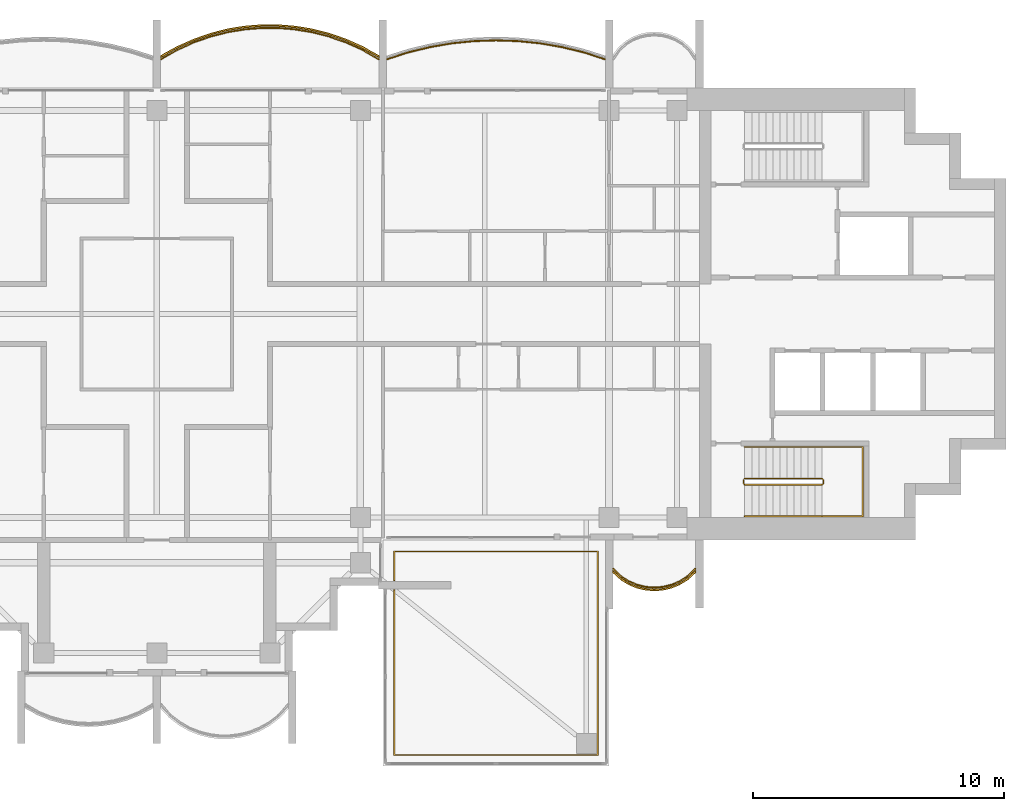
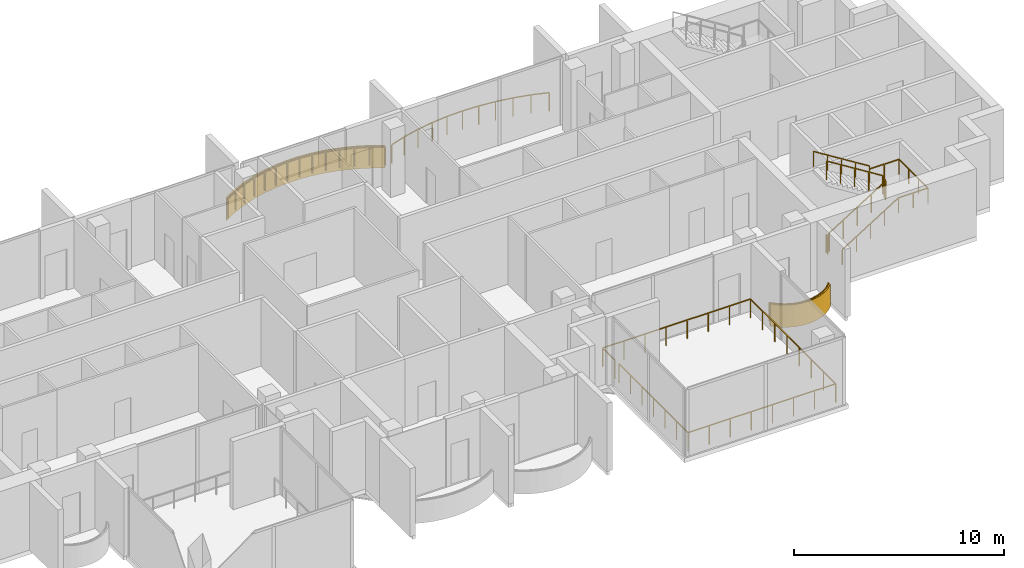
# One storey, part 15 of 16: 6 railings, 2 coverings.
"""IFC4 building model written with IfcOpenShell, lengths in metres."""

import ifcopenshell
import ifcopenshell.guid

model = None  # the IFC model being written
_history = None  # IfcOwnerHistory: only IFC2X3 demands one
_inside = {}  # id of a spatial element -> (the spatial element, [elements in it])
_under = {}  # id of a project, library or spatial element -> (it, [spatial elements below it])
_declared = {}  # id of a project -> (the project, [libraries it declares])
_typed = {}  # id of a type object -> (the type object, [elements of that type])
_made_of = {}  # id of a material, layer set ... -> (it, [elements and type objects made of it])


def new_model(schema):
    """Start an empty IFC model of exactly this schema.

    Asked for "IFC4X3", IfcOpenShell would pick the latest addendum, in which some entities
    have other attributes; the version numbers below select the first issue.
    IFC2X3 requires an IfcOwnerHistory on every rooted entity: one is made here for all.
    """
    global model, _history
    if schema == "IFC4X3":
        model = ifcopenshell.file(schema_version=(4, 3, 0, 0))
    else:
        model = ifcopenshell.file(schema=schema)
    _inside.clear()
    _under.clear()
    _declared.clear()
    _typed.clear()
    _made_of.clear()
    _history = None
    if model.schema == "IFC2X3":
        org = make("IfcOrganization", Name="unknown")
        user = make(
            "IfcPersonAndOrganization",
            ThePerson=make("IfcPerson", FamilyName="unknown"),
            TheOrganization=org,
        )
        app = make(
            "IfcApplication",
            ApplicationDeveloper=org,
            Version="unknown",
            ApplicationFullName="unknown",
            ApplicationIdentifier="unknown",
        )
        _history = make(
            "IfcOwnerHistory",
            OwningUser=user,
            OwningApplication=app,
            ChangeAction="ADDED",
            CreationDate=0,
        )
    return model


def make(cls, **values):
    """One entity of the class cls with the attributes given. An attribute that is None is left unset."""
    return model.create_entity(
        cls, **{name: value for name, value in values.items() if value is not None}
    )


def rooted(cls, **values):
    """An entity with a GlobalId (a new one), such as an element, a storey or a relation."""
    return make(cls, GlobalId=ifcopenshell.guid.new(), OwnerHistory=_history, **values)


def si_unit(unit_type, name, prefix=None):
    """IfcSIUnit, for example si_unit("LENGTHUNIT", "METRE", prefix="MILLI")."""
    return make("IfcSIUnit", UnitType=unit_type, Prefix=prefix, Name=name)


def assignment(units):
    """IfcUnitAssignment: the units of a project."""
    return None if units is None else make("IfcUnitAssignment", Units=units)


def point(xyz):
    """IfcCartesianPoint."""
    return None if xyz is None else make("IfcCartesianPoint", Coordinates=xyz)


def direction(xyz):
    """IfcDirection."""
    return None if xyz is None else make("IfcDirection", DirectionRatios=xyz)


def frame(location, z_axis=None, x_axis=None):
    """IfcAxis2Placement3D, a coordinate frame: its origin and axes. An axis left out is left unset."""
    return make(
        "IfcAxis2Placement3D",
        Location=point(location),
        Axis=direction(z_axis),
        RefDirection=direction(x_axis),
    )


def frame_2d(location, x_axis=None):
    """IfcAxis2Placement2D, a coordinate frame in the plane: its origin and x axis."""
    return make(
        "IfcAxis2Placement2D", Location=point(location), RefDirection=direction(x_axis)
    )


def origin():
    """The frame at (0, 0, 0) with its axes left unset."""
    return frame((0.0, 0.0, 0.0))


def origin_2d():
    """The frame at (0, 0) in the plane with its x axis left unset."""
    return frame_2d((0.0, 0.0))


def place(relative_to, where):
    """IfcLocalPlacement: puts the frame where relative to a parent placement (None: the world)."""
    return make(
        "IfcLocalPlacement", PlacementRelTo=relative_to, RelativePlacement=where
    )


def context(
    kind, dimensions, precision=None, world=None, true_north=None, identifier=None
):
    """IfcGeometricRepresentationContext, for example the 3D "Model" context."""
    return make(
        "IfcGeometricRepresentationContext",
        ContextIdentifier=identifier,
        ContextType=kind,
        CoordinateSpaceDimension=dimensions,
        Precision=precision,
        WorldCoordinateSystem=world,
        TrueNorth=true_north,
    )


def subcontext(parent, identifier, kind, view, scale=None):
    """IfcGeometricRepresentationSubContext, for example "Body" below "Model"."""
    return make(
        "IfcGeometricRepresentationSubContext",
        ContextIdentifier=identifier,
        ContextType=kind,
        ParentContext=parent,
        TargetScale=scale,
        TargetView=view,
    )


def project(units=None, contexts=None):
    """IfcProject with its units and contexts."""
    return rooted(
        "IfcProject",
        Name="project",
        RepresentationContexts=contexts,
        UnitsInContext=assignment(units),
    )


def spatial(cls, under=None, at=None, **own):
    """A site, building, storey or space (cls), placed at a placement, below another one or the project."""
    s = rooted(cls, ObjectPlacement=at, **own)
    if under is not None:
        _under.setdefault(under.id(), (under, []))[1].append(s)
    return s


def polyline(points):
    """IfcPolyline through the points."""
    return make("IfcPolyline", Points=[point(p) for p in points])


def profile(cls, at=None, kind="AREA", **sizes):
    """A parametric profile (cls). Its sizes go by their IFC names, for example OverallWidth=200.0."""
    return make(cls, ProfileType=kind, Position=at, **sizes)


def rectangle(**sizes):
    """IfcRectangleProfileDef."""
    return profile("IfcRectangleProfileDef", **sizes)


def outline(outer, holes=None, kind="AREA"):
    """IfcArbitraryClosedProfileDef: a profile drawn as a closed curve; with holes, ...WithVoids."""
    if holes is None:
        return make("IfcArbitraryClosedProfileDef", ProfileType=kind, OuterCurve=outer)
    return make(
        "IfcArbitraryProfileDefWithVoids",
        ProfileType=kind,
        OuterCurve=outer,
        InnerCurves=holes,
    )


def extrude(swept, where, along, depth):
    """IfcExtrudedAreaSolid: the profile swept, set in the frame where, extruded along a direction by depth."""
    return make(
        "IfcExtrudedAreaSolid",
        SweptArea=swept,
        Position=where,
        ExtrudedDirection=direction(along),
        Depth=depth,
    )


def shape(context_of_items, identifier, shape_type, items):
    """IfcShapeRepresentation: the items that make up one representation, for example the "Body"."""
    return make(
        "IfcShapeRepresentation",
        ContextOfItems=context_of_items,
        RepresentationIdentifier=identifier,
        RepresentationType=shape_type,
        Items=items,
    )


def material(Name=None, Category=None):
    """IfcMaterial."""
    return make("IfcMaterial", Name=Name, Category=Category)


def layer(
    of_material, thickness, ventilated=None, Name=None, Category=None, Priority=None
):
    """IfcMaterialLayer: one layer of a wall or slab, of a material (None: an air gap)."""
    return make(
        "IfcMaterialLayer",
        Material=of_material,
        LayerThickness=thickness,
        IsVentilated=ventilated,
        Name=Name,
        Category=Category,
        Priority=Priority,
    )


def layer_set(layers, Name=None):
    """IfcMaterialLayerSet."""
    return make("IfcMaterialLayerSet", MaterialLayers=layers, LayerSetName=Name)


def made_of(thing, what):
    """Note that an element or type object is made of a material, layer set ...; save() writes the relation."""
    if what is not None:
        _made_of.setdefault(what.id(), (what, []))[1].append(thing)
    return thing


def type_object(cls, material=None, **own):
    """A type object (cls), such as IfcWallType, which elements share."""
    return made_of(rooted(cls, **own), material)


def element(
    cls,
    number,
    at=None,
    inside=None,
    cuts=None,
    type_object=None,
    material=None,
    context=None,
    identifier="Body",
    shape_type=None,
    held_by="IfcProductDefinitionShape",
    body=None,
    shapes=None,
    **own,
):
    """One element of the class cls, such as IfcWall. Its Tag is "e" and its number.

    at: its placement. inside: the storey or other place that contains it. cuts: it is an
    opening in that element (IfcRelVoidsElement). A single representation is given by context,
    identifier, shape_type and body (its items); several are given by shapes. held_by: the class
    of the entity that holds the representations. save() writes the other relations.
    """
    e = rooted(cls, Tag="e%d" % number, ObjectPlacement=at, **own)
    if body is not None:
        shapes = [shape(context, identifier, shape_type, body)]
    if shapes is not None:
        e.Representation = make(held_by, Representations=shapes)
    if inside is not None:
        _inside.setdefault(inside.id(), (inside, []))[1].append(e)
    if cuts is not None:
        rooted(
            "IfcRelVoidsElement", RelatingBuildingElement=cuts, RelatedOpeningElement=e
        )
    if type_object is not None:
        _typed.setdefault(type_object.id(), (type_object, []))[1].append(e)
    return made_of(e, material)


def aggregate(whole, parts):
    """IfcRelAggregates: a whole, such as a stair, and the parts it consists of."""
    return rooted("IfcRelAggregates", RelatingObject=whole, RelatedObjects=parts)


def save(model, path):
    """Write the relations noted so far, then the file.

    IfcRelAggregates (storeys below a building ...), IfcRelContainedInSpatialStructure (elements
    in a storey), IfcRelDefinesByType, IfcRelAssociatesMaterial and IfcRelDeclares: one each for
    every whole, place, type object, material and project.
    """
    for whole, parts in _under.values():
        aggregate(whole, parts)
    for where, things in _inside.values():
        rooted(
            "IfcRelContainedInSpatialStructure",
            RelatedElements=things,
            RelatingStructure=where,
        )
    for kind, things in _typed.values():
        rooted("IfcRelDefinesByType", RelatedObjects=things, RelatingType=kind)
    for what, things in _made_of.values():
        rooted("IfcRelAssociatesMaterial", RelatedObjects=things, RelatingMaterial=what)
    for by, libraries in _declared.values():
        rooted("IfcRelDeclares", RelatingContext=by, RelatedDefinitions=libraries)
    model.write(path)


model = new_model("IFC4")

# Units and contexts
model_context = context("Model", 3, precision=1e-05, world=origin(), true_north=direction((0.0, 1.0)))
body_context = subcontext(model_context, "Body", "Model", "MODEL_VIEW")
ifc_project = project(units=[si_unit("LENGTHUNIT", "METRE"), si_unit("AREAUNIT", "SQUARE_METRE"), si_unit("VOLUMEUNIT", "CUBIC_METRE"), si_unit("PLANEANGLEUNIT", "RADIAN"), si_unit("MASSUNIT", "GRAM", prefix="KILO")], contexts=[model_context])

# Site, building, storey
site_placement = place(None, origin())
site = spatial("IfcSite", under=ifc_project, at=site_placement, CompositionType="ELEMENT")
building_placement = place(site_placement, origin())
building = spatial("IfcBuilding", under=site, at=building_placement, Name="Perihelion Cross Residences", CompositionType="ELEMENT")
storey_placement = place(building_placement, frame((0.0, 0.0, 294.60009765625)))
storey = spatial("IfcBuildingStorey", under=building, at=storey_placement, Name="L75", CompositionType="ELEMENT", Elevation=294.60009765625)

# Coverings
ifc_material_1 = material(Name="Bronze anodised aluminium", Category="aluminium")
ifc_layer = layer(ifc_material_1, 0.070068359375)
ifc_layer_set = layer_set([ifc_layer], Name="Balcony fascia 1300")
covering_type = type_object("IfcCoveringType", Name="Balcony fascia 1300", PredefinedType="CLADDING", material=ifc_layer_set)
covering_1_placement = place(storey_placement, frame((0.0, 0.0, -0.2001953125)))
element("IfcCovering", 1, at=covering_1_placement, inside=storey, type_object=covering_type, Name="Fascia BF1 L75 north side east bay 1", PredefinedType="CLADDING", context=body_context, shape_type="SweptSolid", body=[
    extrude(outline(polyline([(8.212158203125, 10.63916015625), (7.537353515625, 10.941650390625), (6.8623046875, 11.175048828125), (6.1875, 11.345947265625), (5.512451171875, 11.457763671875), (4.83740234375, 11.51318359375), (4.16259765625, 11.51318359375), (3.487548828125, 11.457763671875), (2.8125, 11.345947265625), (2.1376953125, 11.175048828125), (1.462646484375, 10.941650390625), (0.787841796875, 10.63916015625), (0.14990234375, 10.2802734375), (0.14990234375, 10.199951171875), (0.8193359375, 10.57666015625), (1.488525390625, 10.87646484375), (2.15771484375, 11.108154296875), (2.826904296875, 11.27734375), (3.49609375, 11.38818359375), (4.165283203125, 11.443115234375), (4.834716796875, 11.443115234375), (5.50390625, 11.38818359375), (6.173095703125, 11.27734375), (6.84228515625, 11.108154296875), (7.511474609375, 10.87646484375), (8.1806640625, 10.57666015625), (8.85009765625, 10.199951171875), (8.85009765625, 10.2802734375), (8.212158203125, 10.63916015625)])), origin(), (0.0, 0.0, 1.0), 1.300048828125),
])
covering_2_placement = place(storey_placement, frame((0.0, 0.0, -0.2001953125)))
element("IfcCovering", 2, at=covering_2_placement, inside=storey, type_object=covering_type, Name="Fascia BF1 L75 east side south bay 2", PredefinedType="CLADDING", context=body_context, shape_type="SweptSolid", body=[
    extrude(outline(polyline([(18.4375, -10.56298828125), (18.778076171875, -10.77587890625), (19.11865234375, -10.914794921875), (19.45947265625, -10.994140625), (19.800048828125, -11.02001953125), (20.140625, -10.994140625), (20.481201171875, -10.914794921875), (20.82177734375, -10.77587890625), (21.16259765625, -10.56298828125), (21.449951171875, -10.295654296875), (21.449951171875, -10.199951171875), (21.1201171875, -10.507568359375), (20.7900390625, -10.71337890625), (20.4599609375, -10.84814453125), (20.1298828125, -10.925048828125), (19.800048828125, -10.949951171875), (19.469970703125, -10.925048828125), (19.139892578125, -10.84814453125), (18.81005859375, -10.71337890625), (18.47998046875, -10.507568359375), (18.14990234375, -10.199951171875), (18.14990234375, -10.295654296875), (18.4375, -10.56298828125)])), origin(), (0.0, 0.0, 1.0), 1.300048828125),
])

# Railings
ifc_material_2 = material(Name="Bronze anodised aluminium", Category="aluminium")
railing_type_1 = type_object("IfcRailingType", Name="Balcony guard 1100", PredefinedType="GUARDRAIL", material=ifc_material_2)
railing_1_placement = place(storey_placement, frame((17.824951171875, 10.139892578125, 0.0)))
element("IfcRailing", 3, at=railing_1_placement, inside=storey, type_object=railing_type_1, Name="Guard GU1 L75 east side north bay 2 balcony", PredefinedType="GUARDRAIL", context=body_context, shape_type="SweptSolid", body=[
    extrude(rectangle(XDim=0.048095703125, YDim=0.048095703125, at=origin_2d()), frame((0.0, 0.0, 1.076171875), z_axis=(-0.950777354264, 0.30987484993, 0.0), x_axis=(-0.30987484993, -0.950777354264, 0.0)), (0.0, 0.0, 1.0), 0.888671875),
    extrude(rectangle(XDim=0.048095703125, YDim=0.048095703125, at=origin_2d()), frame((-0.844970703125, 0.275390625, 1.076171875), z_axis=(-0.972146551129, 0.234373810671, 0.0), x_axis=(-0.234373810671, -0.972146551129, 0.0)), (0.0, 0.0, 1.0), 0.894775390625),
    extrude(rectangle(XDim=0.048095703125, YDim=0.048095703125, at=origin_2d()), frame((-1.71484375, 0.485107421875, 1.076171875), z_axis=(-0.985850361727, 0.167627755108, 0.0), x_axis=(-0.167627755108, -0.985850361727, 0.0)), (0.0, 0.0, 1.0), 0.882568359375),
    extrude(rectangle(XDim=0.048095703125, YDim=0.048095703125, at=origin_2d()), frame((-2.5849609375, 0.633056640625, 1.076171875), z_axis=(-0.994934368303, 0.100526627165, 0.0), x_axis=(-0.100526627165, -0.994934368303, 0.0)), (0.0, 0.0, 1.0), 0.874267578125),
    extrude(rectangle(XDim=0.048095703125, YDim=0.048095703125, at=origin_2d()), frame((-3.454833984375, 0.720947265625, 1.076171875), z_axis=(-0.999443037968, 0.0333708534, 0.0), x_axis=(-0.0333708534, -0.999443037968, 0.0)), (0.0, 0.0, 1.0), 0.87060546875),
    extrude(rectangle(XDim=0.048095703125, YDim=0.048095703125, at=origin_2d()), frame((-4.324951171875, 0.75, 1.076171875), z_axis=(-0.999443037968, -0.0333708534, 0.0), x_axis=(0.0333708534, -0.999443037968, 0.0)), (0.0, 0.0, 1.0), 0.87060546875),
    extrude(rectangle(XDim=0.048095703125, YDim=0.048095703125, at=origin_2d()), frame((-5.195068359375, 0.720947265625, 1.076171875), z_axis=(-0.994934368303, -0.100526627165, 0.0), x_axis=(0.100526627165, -0.994934368303, 0.0)), (0.0, 0.0, 1.0), 0.874267578125),
    extrude(rectangle(XDim=0.048095703125, YDim=0.048095703125, at=origin_2d()), frame((-6.06494140625, 0.633056640625, 1.076171875), z_axis=(-0.985850361727, -0.167627755108, 0.0), x_axis=(0.167627755108, -0.985850361727, 0.0)), (0.0, 0.0, 1.0), 0.882568359375),
    extrude(rectangle(XDim=0.048095703125, YDim=0.048095703125, at=origin_2d()), frame((-6.93505859375, 0.485107421875, 1.076171875), z_axis=(-0.972146551129, -0.234373810671, 0.0), x_axis=(0.234373810671, -0.972146551129, 0.0)), (0.0, 0.0, 1.0), 0.894775390625),
    extrude(rectangle(XDim=0.048095703125, YDim=0.048095703125, at=origin_2d()), frame((-7.804931640625, 0.275390625, 1.076171875), z_axis=(-0.950777354264, -0.30987484993, 0.0), x_axis=(0.30987484993, -0.950777354264, 0.0)), (0.0, 0.0, 1.0), 0.888671875),
    extrude(rectangle(XDim=0.0419921875, YDim=0.0419921875, at=origin_2d()), origin(), (0.0, 0.0, 1.0), 1.052001953125),
    extrude(rectangle(XDim=0.0419921875, YDim=0.0419921875, at=origin_2d()), frame((-0.844970703125, 0.275390625, 0.0)), (0.0, 0.0, 1.0), 1.052001953125),
    extrude(rectangle(XDim=0.0419921875, YDim=0.0419921875, at=origin_2d()), frame((-1.71484375, 0.485107421875, 0.0)), (0.0, 0.0, 1.0), 1.052001953125),
    extrude(rectangle(XDim=0.0419921875, YDim=0.0419921875, at=origin_2d()), frame((-2.5849609375, 0.633056640625, 0.0)), (0.0, 0.0, 1.0), 1.052001953125),
    extrude(rectangle(XDim=0.0419921875, YDim=0.0419921875, at=origin_2d()), frame((-3.454833984375, 0.720947265625, 0.0)), (0.0, 0.0, 1.0), 1.052001953125),
    extrude(rectangle(XDim=0.0419921875, YDim=0.0419921875, at=origin_2d()), frame((-4.324951171875, 0.75, 0.0)), (0.0, 0.0, 1.0), 1.052001953125),
    extrude(rectangle(XDim=0.0419921875, YDim=0.0419921875, at=origin_2d()), frame((-5.195068359375, 0.720947265625, 0.0)), (0.0, 0.0, 1.0), 1.052001953125),
    extrude(rectangle(XDim=0.0419921875, YDim=0.0419921875, at=origin_2d()), frame((-6.06494140625, 0.633056640625, 0.0)), (0.0, 0.0, 1.0), 1.052001953125),
    extrude(rectangle(XDim=0.0419921875, YDim=0.0419921875, at=origin_2d()), frame((-6.93505859375, 0.485107421875, 0.0)), (0.0, 0.0, 1.0), 1.052001953125),
    extrude(rectangle(XDim=0.0419921875, YDim=0.0419921875, at=origin_2d()), frame((-7.804931640625, 0.275390625, 0.0)), (0.0, 0.0, 1.0), 1.052001953125),
    extrude(rectangle(XDim=0.0419921875, YDim=0.0419921875, at=origin_2d()), frame((-8.64990234375, 0.0, 0.0)), (0.0, 0.0, 1.0), 1.052001953125),
])
railing_2_placement = place(storey_placement, frame((8.824951171875, 10.139892578125, 0.0)))
element("IfcRailing", 4, at=railing_2_placement, inside=storey, type_object=railing_type_1, Name="Guard GU1 L75 north side east bay 1 balcony", PredefinedType="GUARDRAIL", context=body_context, shape_type="SweptSolid", body=[
    extrude(rectangle(XDim=0.048095703125, YDim=0.048095703125, at=origin_2d()), frame((0.0, 0.0, 1.076171875), z_axis=(-0.863125740505, 0.504989065305, 0.0), x_axis=(-0.504989065305, -0.863125740505, 0.0)), (0.0, 0.0, 1.0), 0.746337890625),
    extrude(rectangle(XDim=0.048095703125, YDim=0.048095703125, at=origin_2d()), frame((-0.644287109375, 0.376953125, 1.076171875), z_axis=(-0.912723499295, 0.408577794103, 0.0), x_axis=(-0.408577794103, -0.912723499295, 0.0)), (0.0, 0.0, 1.0), 0.733154296875),
    extrude(rectangle(XDim=0.048095703125, YDim=0.048095703125, at=origin_2d()), frame((-1.3134765625, 0.676513671875, 1.076171875), z_axis=(-0.944965577734, 0.327169767701, 0.0), x_axis=(-0.327169767701, -0.944965577734, 0.0)), (0.0, 0.0, 1.0), 0.708251953125),
    extrude(rectangle(XDim=0.048095703125, YDim=0.048095703125, at=origin_2d()), frame((-1.982666015625, 0.908203125, 1.076171875), z_axis=(-0.96949408574, 0.245114703181, 0.0), x_axis=(-0.245114703181, -0.96949408574, 0.0)), (0.0, 0.0, 1.0), 0.690185546875),
    extrude(rectangle(XDim=0.048095703125, YDim=0.048095703125, at=origin_2d()), frame((-2.65185546875, 1.077392578125, 1.076171875), z_axis=(-0.986500713816, 0.163756959061, 0.0), x_axis=(-0.163756959061, -0.986500713816, 0.0)), (0.0, 0.0, 1.0), 0.678466796875),
    extrude(rectangle(XDim=0.048095703125, YDim=0.048095703125, at=origin_2d()), frame((-3.321044921875, 1.1884765625, 1.076171875), z_axis=(-0.996677390684, 0.081450468994, 0.0), x_axis=(-0.081450468994, -0.996677390684, 0.0)), (0.0, 0.0, 1.0), 0.67138671875),
    extrude(rectangle(XDim=0.048095703125, YDim=0.048095703125, at=origin_2d()), frame((-3.990234375, 1.2431640625, 1.076171875), z_axis=(-1.0, 0.0, 0.0), x_axis=(0.0, -1.0, 0.0)), (0.0, 0.0, 1.0), 0.66943359375),
    extrude(rectangle(XDim=0.048095703125, YDim=0.048095703125, at=origin_2d()), frame((-4.65966796875, 1.2431640625, 1.076171875), z_axis=(-0.996677390684, -0.081450468994, 0.0), x_axis=(0.081450468994, -0.996677390684, 0.0)), (0.0, 0.0, 1.0), 0.67138671875),
    extrude(rectangle(XDim=0.048095703125, YDim=0.048095703125, at=origin_2d()), frame((-5.328857421875, 1.1884765625, 1.076171875), z_axis=(-0.986500713816, -0.163756959061, 0.0), x_axis=(0.163756959061, -0.986500713816, 0.0)), (0.0, 0.0, 1.0), 0.678466796875),
    extrude(rectangle(XDim=0.048095703125, YDim=0.048095703125, at=origin_2d()), frame((-5.998046875, 1.077392578125, 1.076171875), z_axis=(-0.96949408574, -0.245114703181, 0.0), x_axis=(0.245114703181, -0.96949408574, 0.0)), (0.0, 0.0, 1.0), 0.690185546875),
    extrude(rectangle(XDim=0.048095703125, YDim=0.048095703125, at=origin_2d()), frame((-6.667236328125, 0.908203125, 1.076171875), z_axis=(-0.944965577734, -0.327169767701, 0.0), x_axis=(0.327169767701, -0.944965577734, 0.0)), (0.0, 0.0, 1.0), 0.708251953125),
    extrude(rectangle(XDim=0.048095703125, YDim=0.048095703125, at=origin_2d()), frame((-7.33642578125, 0.676513671875, 1.076171875), z_axis=(-0.912723499295, -0.408577794103, 0.0), x_axis=(0.408577794103, -0.912723499295, 0.0)), (0.0, 0.0, 1.0), 0.733154296875),
    extrude(rectangle(XDim=0.048095703125, YDim=0.048095703125, at=origin_2d()), frame((-8.005615234375, 0.376953125, 1.076171875), z_axis=(-0.863125740505, -0.504989065305, 0.0), x_axis=(0.504989065305, -0.863125740505, 0.0)), (0.0, 0.0, 1.0), 0.746337890625),
    extrude(rectangle(XDim=0.0419921875, YDim=0.0419921875, at=origin_2d()), origin(), (0.0, 0.0, 1.0), 1.052001953125),
    extrude(rectangle(XDim=0.0419921875, YDim=0.0419921875, at=origin_2d()), frame((-0.644287109375, 0.376953125, 0.0)), (0.0, 0.0, 1.0), 1.052001953125),
    extrude(rectangle(XDim=0.0419921875, YDim=0.0419921875, at=origin_2d()), frame((-1.3134765625, 0.676513671875, 0.0)), (0.0, 0.0, 1.0), 1.052001953125),
    extrude(rectangle(XDim=0.0419921875, YDim=0.0419921875, at=origin_2d()), frame((-1.982666015625, 0.908203125, 0.0)), (0.0, 0.0, 1.0), 1.052001953125),
    extrude(rectangle(XDim=0.0419921875, YDim=0.0419921875, at=origin_2d()), frame((-2.65185546875, 1.077392578125, 0.0)), (0.0, 0.0, 1.0), 1.052001953125),
    extrude(rectangle(XDim=0.0419921875, YDim=0.0419921875, at=origin_2d()), frame((-3.321044921875, 1.1884765625, 0.0)), (0.0, 0.0, 1.0), 1.052001953125),
    extrude(rectangle(XDim=0.0419921875, YDim=0.0419921875, at=origin_2d()), frame((-3.990234375, 1.2431640625, 0.0)), (0.0, 0.0, 1.0), 1.052001953125),
    extrude(rectangle(XDim=0.0419921875, YDim=0.0419921875, at=origin_2d()), frame((-4.65966796875, 1.2431640625, 0.0)), (0.0, 0.0, 1.0), 1.052001953125),
    extrude(rectangle(XDim=0.0419921875, YDim=0.0419921875, at=origin_2d()), frame((-5.328857421875, 1.1884765625, 0.0)), (0.0, 0.0, 1.0), 1.052001953125),
    extrude(rectangle(XDim=0.0419921875, YDim=0.0419921875, at=origin_2d()), frame((-5.998046875, 1.077392578125, 0.0)), (0.0, 0.0, 1.0), 1.052001953125),
    extrude(rectangle(XDim=0.0419921875, YDim=0.0419921875, at=origin_2d()), frame((-6.667236328125, 0.908203125, 0.0)), (0.0, 0.0, 1.0), 1.052001953125),
    extrude(rectangle(XDim=0.0419921875, YDim=0.0419921875, at=origin_2d()), frame((-7.33642578125, 0.676513671875, 0.0)), (0.0, 0.0, 1.0), 1.052001953125),
    extrude(rectangle(XDim=0.0419921875, YDim=0.0419921875, at=origin_2d()), frame((-8.005615234375, 0.376953125, 0.0)), (0.0, 0.0, 1.0), 1.052001953125),
    extrude(rectangle(XDim=0.0419921875, YDim=0.0419921875, at=origin_2d()), frame((-8.64990234375, 0.0, 0.0)), (0.0, 0.0, 1.0), 1.052001953125),
])
railing_3_placement = place(storey_placement, frame((18.175048828125, -10.139892578125, 0.0)))
element("IfcRailing", 5, at=railing_3_placement, inside=storey, type_object=railing_type_1, Name="Guard GU1 L75 east side south bay 2 balcony", PredefinedType="GUARDRAIL", context=body_context, shape_type="SweptSolid", body=[
    extrude(rectangle(XDim=0.048095703125, YDim=0.048095703125, at=origin_2d()), frame((0.0, 0.0, 1.076171875), z_axis=(0.703999905859, -0.710200065158, 0.0), x_axis=(0.710200065158, 0.703999905859, 0.0)), (0.0, 0.0, 1.0), 0.43310546875),
    extrude(rectangle(XDim=0.048095703125, YDim=0.048095703125, at=origin_2d()), frame((0.304931640625, -0.3076171875, 1.076171875), z_axis=(0.848280173265, -0.529547682127, 0.0), x_axis=(0.529547682127, 0.848280173265, 0.0)), (0.0, 0.0, 1.0), 0.38916015625),
    extrude(rectangle(XDim=0.048095703125, YDim=0.048095703125, at=origin_2d()), frame((0.635009765625, -0.513671875, 1.076171875), z_axis=(0.925950379976, -0.377645195682, 0.0), x_axis=(0.377645195682, 0.925950379976, 0.0)), (0.0, 0.0, 1.0), 0.356201171875),
    extrude(rectangle(XDim=0.048095703125, YDim=0.048095703125, at=origin_2d()), frame((0.96484375, -0.648193359375, 1.076171875), z_axis=(0.97391554583, -0.226910796551, 0.0), x_axis=(0.226910796551, 0.97391554583, 0.0)), (0.0, 0.0, 1.0), 0.3388671875),
    extrude(rectangle(XDim=0.048095703125, YDim=0.048095703125, at=origin_2d()), frame((1.294921875, -0.72509765625, 1.076171875), z_axis=(0.997166208737, -0.075229995038, 0.0), x_axis=(0.075229995038, 0.997166208737, 0.0)), (0.0, 0.0, 1.0), 0.3310546875),
    extrude(rectangle(XDim=0.048095703125, YDim=0.048095703125, at=origin_2d()), frame((1.625, -0.75, 1.076171875), z_axis=(0.997162029931, 0.075285364214, 0.0), x_axis=(-0.075285364214, 0.997162029931, 0.0)), (0.0, 0.0, 1.0), 0.330810546875),
    extrude(rectangle(XDim=0.048095703125, YDim=0.048095703125, at=origin_2d()), frame((1.954833984375, -0.72509765625, 1.076171875), z_axis=(0.97391554583, 0.226910796551, 0.0), x_axis=(-0.226910796551, 0.97391554583, 0.0)), (0.0, 0.0, 1.0), 0.3388671875),
    extrude(rectangle(XDim=0.048095703125, YDim=0.048095703125, at=origin_2d()), frame((2.284912109375, -0.648193359375, 1.076171875), z_axis=(0.926048033295, 0.377405670374, 0.0), x_axis=(-0.377405670374, 0.926048033295, 0.0)), (0.0, 0.0, 1.0), 0.3564453125),
    extrude(rectangle(XDim=0.048095703125, YDim=0.048095703125, at=origin_2d()), frame((2.614990234375, -0.513671875, 1.076171875), z_axis=(0.848280173265, 0.529547682127, 0.0), x_axis=(-0.529547682127, 0.848280173265, 0.0)), (0.0, 0.0, 1.0), 0.38916015625),
    extrude(rectangle(XDim=0.048095703125, YDim=0.048095703125, at=origin_2d()), frame((2.945068359375, -0.3076171875, 1.076171875), z_axis=(0.703999905859, 0.710200065158, 0.0), x_axis=(-0.710200065158, 0.703999905859, 0.0)), (0.0, 0.0, 1.0), 0.43310546875),
    extrude(rectangle(XDim=0.0419921875, YDim=0.0419921875, at=origin_2d()), origin(), (0.0, 0.0, 1.0), 1.052001953125),
    extrude(rectangle(XDim=0.0419921875, YDim=0.0419921875, at=origin_2d()), frame((0.304931640625, -0.3076171875, 0.0)), (0.0, 0.0, 1.0), 1.052001953125),
    extrude(rectangle(XDim=0.0419921875, YDim=0.0419921875, at=origin_2d()), frame((0.635009765625, -0.513671875, 0.0)), (0.0, 0.0, 1.0), 1.052001953125),
    extrude(rectangle(XDim=0.0419921875, YDim=0.0419921875, at=origin_2d()), frame((0.96484375, -0.648193359375, 0.0)), (0.0, 0.0, 1.0), 1.052001953125),
    extrude(rectangle(XDim=0.0419921875, YDim=0.0419921875, at=origin_2d()), frame((1.294921875, -0.72509765625, 0.0)), (0.0, 0.0, 1.0), 1.052001953125),
    extrude(rectangle(XDim=0.0419921875, YDim=0.0419921875, at=origin_2d()), frame((1.625, -0.75, 0.0)), (0.0, 0.0, 1.0), 1.052001953125),
    extrude(rectangle(XDim=0.0419921875, YDim=0.0419921875, at=origin_2d()), frame((1.954833984375, -0.72509765625, 0.0)), (0.0, 0.0, 1.0), 1.052001953125),
    extrude(rectangle(XDim=0.0419921875, YDim=0.0419921875, at=origin_2d()), frame((2.284912109375, -0.648193359375, 0.0)), (0.0, 0.0, 1.0), 1.052001953125),
    extrude(rectangle(XDim=0.0419921875, YDim=0.0419921875, at=origin_2d()), frame((2.614990234375, -0.513671875, 0.0)), (0.0, 0.0, 1.0), 1.052001953125),
    extrude(rectangle(XDim=0.0419921875, YDim=0.0419921875, at=origin_2d()), frame((2.945068359375, -0.3076171875, 0.0)), (0.0, 0.0, 1.0), 1.052001953125),
    extrude(rectangle(XDim=0.0419921875, YDim=0.0419921875, at=origin_2d()), frame((3.25, 0.0, 0.0)), (0.0, 0.0, 1.0), 1.052001953125),
])
railing_4_placement = place(storey_placement, frame((9.449951171875, -10.610107421875, 0.0)))
element("IfcRailing", 6, at=railing_4_placement, inside=storey, type_object=railing_type_1, Name="Guard GU1 L75 pocket south-east 1", PredefinedType="GUARDRAIL", context=body_context, shape_type="SweptSolid", body=[
    extrude(rectangle(XDim=0.048095703125, YDim=0.048095703125, at=origin_2d()), frame((0.0, 0.0, 1.076171875), z_axis=(0.0, 1.0, 0.0), x_axis=(-1.0, 0.0, 0.0)), (0.0, 0.0, 1.0), 1.16015625),
    extrude(rectangle(XDim=0.048095703125, YDim=0.048095703125, at=origin_2d()), frame((0.0, 1.16015625, 1.076171875), z_axis=(1.0, 0.0, 0.0), x_axis=(0.0, 1.0, 0.0)), (0.0, 0.0, 1.0), 8.10009765625),
    extrude(rectangle(XDim=0.048095703125, YDim=0.048095703125, at=origin_2d()), frame((8.10009765625, 1.16015625, 1.076171875), z_axis=(0.0, -1.0, 0.0), x_axis=(1.0, 0.0, 0.0)), (0.0, 0.0, 1.0), 8.10009765625),
    extrude(rectangle(XDim=0.048095703125, YDim=0.048095703125, at=origin_2d()), frame((8.10009765625, -6.93994140625, 1.076171875), z_axis=(-1.0, 0.0, 0.0), x_axis=(0.0, -1.0, 0.0)), (0.0, 0.0, 1.0), 8.10009765625),
    extrude(rectangle(XDim=0.048095703125, YDim=0.048095703125, at=origin_2d()), frame((0.0, -6.93994140625, 1.076171875), z_axis=(0.0, 1.0, 0.0), x_axis=(-1.0, 0.0, 0.0)), (0.0, 0.0, 1.0), 6.56005859375),
    extrude(rectangle(XDim=0.0419921875, YDim=0.0419921875, at=origin_2d()), origin(), (0.0, 0.0, 1.0), 1.052001953125),
    extrude(rectangle(XDim=0.0419921875, YDim=0.0419921875, at=origin_2d()), frame((0.0, 1.16015625, 0.0)), (0.0, 0.0, 1.0), 1.052001953125),
    extrude(rectangle(XDim=0.0419921875, YDim=0.0419921875, at=origin_2d()), frame((1.1572265625, 1.16015625, 0.0)), (0.0, 0.0, 1.0), 1.052001953125),
    extrude(rectangle(XDim=0.0419921875, YDim=0.0419921875, at=origin_2d()), frame((2.314208984375, 1.16015625, 0.0)), (0.0, 0.0, 1.0), 1.052001953125),
    extrude(rectangle(XDim=0.0419921875, YDim=0.0419921875, at=origin_2d()), frame((3.471435546875, 1.16015625, 0.0)), (0.0, 0.0, 1.0), 1.052001953125),
    extrude(rectangle(XDim=0.0419921875, YDim=0.0419921875, at=origin_2d()), frame((4.628662109375, 1.16015625, 0.0)), (0.0, 0.0, 1.0), 1.052001953125),
    extrude(rectangle(XDim=0.0419921875, YDim=0.0419921875, at=origin_2d()), frame((5.785888671875, 1.16015625, 0.0)), (0.0, 0.0, 1.0), 1.052001953125),
    extrude(rectangle(XDim=0.0419921875, YDim=0.0419921875, at=origin_2d()), frame((6.94287109375, 1.16015625, 0.0)), (0.0, 0.0, 1.0), 1.052001953125),
    extrude(rectangle(XDim=0.0419921875, YDim=0.0419921875, at=origin_2d()), frame((8.10009765625, 1.16015625, 0.0)), (0.0, 0.0, 1.0), 1.052001953125),
    extrude(rectangle(XDim=0.0419921875, YDim=0.0419921875, at=origin_2d()), frame((8.10009765625, 0.0029296875, 0.0)), (0.0, 0.0, 1.0), 1.052001953125),
    extrude(rectangle(XDim=0.0419921875, YDim=0.0419921875, at=origin_2d()), frame((8.10009765625, -1.154052734375, 0.0)), (0.0, 0.0, 1.0), 1.052001953125),
    extrude(rectangle(XDim=0.0419921875, YDim=0.0419921875, at=origin_2d()), frame((8.10009765625, -2.311279296875, 0.0)), (0.0, 0.0, 1.0), 1.052001953125),
    extrude(rectangle(XDim=0.0419921875, YDim=0.0419921875, at=origin_2d()), frame((8.10009765625, -3.468505859375, 0.0)), (0.0, 0.0, 1.0), 1.052001953125),
    extrude(rectangle(XDim=0.0419921875, YDim=0.0419921875, at=origin_2d()), frame((8.10009765625, -4.625732421875, 0.0)), (0.0, 0.0, 1.0), 1.052001953125),
    extrude(rectangle(XDim=0.0419921875, YDim=0.0419921875, at=origin_2d()), frame((8.10009765625, -5.78271484375, 0.0)), (0.0, 0.0, 1.0), 1.052001953125),
    extrude(rectangle(XDim=0.0419921875, YDim=0.0419921875, at=origin_2d()), frame((8.10009765625, -6.93994140625, 0.0)), (0.0, 0.0, 1.0), 1.052001953125),
    extrude(rectangle(XDim=0.0419921875, YDim=0.0419921875, at=origin_2d()), frame((6.94287109375, -6.93994140625, 0.0)), (0.0, 0.0, 1.0), 1.052001953125),
    extrude(rectangle(XDim=0.0419921875, YDim=0.0419921875, at=origin_2d()), frame((5.785888671875, -6.93994140625, 0.0)), (0.0, 0.0, 1.0), 1.052001953125),
    extrude(rectangle(XDim=0.0419921875, YDim=0.0419921875, at=origin_2d()), frame((4.628662109375, -6.93994140625, 0.0)), (0.0, 0.0, 1.0), 1.052001953125),
    extrude(rectangle(XDim=0.0419921875, YDim=0.0419921875, at=origin_2d()), frame((3.471435546875, -6.93994140625, 0.0)), (0.0, 0.0, 1.0), 1.052001953125),
    extrude(rectangle(XDim=0.0419921875, YDim=0.0419921875, at=origin_2d()), frame((2.314208984375, -6.93994140625, 0.0)), (0.0, 0.0, 1.0), 1.052001953125),
    extrude(rectangle(XDim=0.0419921875, YDim=0.0419921875, at=origin_2d()), frame((1.1572265625, -6.93994140625, 0.0)), (0.0, 0.0, 1.0), 1.052001953125),
    extrude(rectangle(XDim=0.0419921875, YDim=0.0419921875, at=origin_2d()), frame((0.0, -6.93994140625, 0.0)), (0.0, 0.0, 1.0), 1.052001953125),
    extrude(rectangle(XDim=0.0419921875, YDim=0.0419921875, at=origin_2d()), frame((0.0, -5.8466796875, 0.0)), (0.0, 0.0, 1.0), 1.052001953125),
    extrude(rectangle(XDim=0.0419921875, YDim=0.0419921875, at=origin_2d()), frame((0.0, -4.753173828125, 0.0)), (0.0, 0.0, 1.0), 1.052001953125),
    extrude(rectangle(XDim=0.0419921875, YDim=0.0419921875, at=origin_2d()), frame((0.0, -3.659912109375, 0.0)), (0.0, 0.0, 1.0), 1.052001953125),
    extrude(rectangle(XDim=0.0419921875, YDim=0.0419921875, at=origin_2d()), frame((0.0, -2.566650390625, 0.0)), (0.0, 0.0, 1.0), 1.052001953125),
    extrude(rectangle(XDim=0.0419921875, YDim=0.0419921875, at=origin_2d()), frame((0.0, -1.47314453125, 0.0)), (0.0, 0.0, 1.0), 1.052001953125),
    extrude(rectangle(XDim=0.0419921875, YDim=0.0419921875, at=origin_2d()), frame((0.0, -0.3798828125, 0.0)), (0.0, 0.0, 1.0), 1.052001953125),
])
ifc_material_3 = material(Name="Stainless steel", Category="steel")
railing_type_2 = type_object("IfcRailingType", Name="Stair guard 1100", PredefinedType="GUARDRAIL", material=ifc_material_3)
railing_5_placement = place(storey_placement, frame((23.35009765625, -6.60009765625, 0.0)))
element("IfcRailing", 7, at=railing_5_placement, inside=storey, type_object=railing_type_2, Name="L75 ST-E2 stair guard 1", PredefinedType="GUARDRAIL", context=body_context, shape_type="SweptSolid", body=[
    extrude(rectangle(XDim=0.048095703125, YDim=0.048095703125, at=origin_2d()), frame((0.0, 0.0, 1.076171875), z_axis=(0.0, -1.0, 0.0), x_axis=(1.0, 0.0, 0.0)), (0.0, 0.0, 1.0), 0.14990234375),
    extrude(rectangle(XDim=0.048095703125, YDim=0.048095703125, at=origin_2d()), frame((0.0, -0.14990234375, 1.076171875), z_axis=(0.264179342666, -0.265474339444, 0.927217692888), x_axis=(0.708833529934, 0.705375805398, 0.0)), (0.0, 0.0, 1.0), 0.1884765625),
    extrude(rectangle(XDim=0.048095703125, YDim=0.048095703125, at=origin_2d()), frame((0.0498046875, -0.199951171875, 1.2509765625), z_axis=(0.847998304005, 0.0, 0.529998940003), x_axis=(0.0, 1.0, 0.0)), (0.0, 0.0, 1.0), 3.632080078125),
    extrude(rectangle(XDim=0.048095703125, YDim=0.048095703125, at=origin_2d()), frame((3.1298828125, -0.199951171875, 3.17578125), z_axis=(0.707106781187, 0.707106781187, 0.0), x_axis=(-0.707106781187, 0.707106781187, 0.0)), (0.0, 0.0, 1.0), 0.07080078125),
    extrude(rectangle(XDim=0.048095703125, YDim=0.048095703125, at=origin_2d()), frame((3.179931640625, -0.14990234375, 3.17578125), z_axis=(0.0, 1.0, 0.0), x_axis=(-1.0, 0.0, 0.0)), (0.0, 0.0, 1.0), 0.14990234375),
    extrude(rectangle(XDim=0.048095703125, YDim=0.048095703125, at=origin_2d()), frame((3.179931640625, 0.0, 3.17578125), z_axis=(-0.265065253269, 0.265065253269, 0.927081885822), x_axis=(-0.707106781187, -0.707106781187, 0.0)), (0.0, 0.0, 1.0), 0.188720703125),
    extrude(rectangle(XDim=0.048095703125, YDim=0.048095703125, at=origin_2d()), frame((3.1298828125, 0.050048828125, 3.35107421875), z_axis=(-0.847998304005, 0.0, 0.529998940003), x_axis=(0.0, -1.0, 0.0)), (0.0, 0.0, 1.0), 3.632080078125),
    extrude(rectangle(XDim=0.0419921875, YDim=0.0419921875, at=origin_2d()), origin(), (0.0, 0.0, 1.0), 1.052001953125),
    extrude(rectangle(XDim=0.0419921875, YDim=0.0419921875, at=origin_2d()), frame((0.0, -0.14990234375, 0.0)), (0.0, 0.0, 1.0), 1.052001953125),
    extrude(rectangle(XDim=0.0419921875, YDim=0.0419921875, at=origin_2d()), frame((0.0498046875, -0.199951171875, 0.1748046875)), (0.0, 0.0, 1.0), 1.052001953125),
    extrude(rectangle(XDim=0.0419921875, YDim=0.0419921875, at=origin_2d()), frame((0.81982421875, -0.199951171875, 0.656005859375)), (0.0, 0.0, 1.0), 1.052001953125),
    extrude(rectangle(XDim=0.0419921875, YDim=0.0419921875, at=origin_2d()), frame((1.58984375, -0.199951171875, 1.13720703125)), (0.0, 0.0, 1.0), 1.052001953125),
    extrude(rectangle(XDim=0.0419921875, YDim=0.0419921875, at=origin_2d()), frame((2.35986328125, -0.199951171875, 1.61865234375)), (0.0, 0.0, 1.0), 1.052001953125),
    extrude(rectangle(XDim=0.0419921875, YDim=0.0419921875, at=origin_2d()), frame((3.1298828125, -0.199951171875, 2.099853515625)), (0.0, 0.0, 1.0), 1.052001953125),
    extrude(rectangle(XDim=0.0419921875, YDim=0.0419921875, at=origin_2d()), frame((3.179931640625, -0.14990234375, 2.099853515625)), (0.0, 0.0, 1.0), 1.052001953125),
    extrude(rectangle(XDim=0.0419921875, YDim=0.0419921875, at=origin_2d()), frame((3.179931640625, 0.0, 2.099853515625)), (0.0, 0.0, 1.0), 1.052001953125),
    extrude(rectangle(XDim=0.0419921875, YDim=0.0419921875, at=origin_2d()), frame((3.1298828125, 0.050048828125, 2.27490234375)), (0.0, 0.0, 1.0), 1.052001953125),
    extrude(rectangle(XDim=0.0419921875, YDim=0.0419921875, at=origin_2d()), frame((2.35986328125, 0.050048828125, 2.756103515625)), (0.0, 0.0, 1.0), 1.052001953125),
    extrude(rectangle(XDim=0.0419921875, YDim=0.0419921875, at=origin_2d()), frame((1.58984375, 0.050048828125, 3.2373046875)), (0.0, 0.0, 1.0), 1.052001953125),
    extrude(rectangle(XDim=0.0419921875, YDim=0.0419921875, at=origin_2d()), frame((0.81982421875, 0.050048828125, 3.71875)), (0.0, 0.0, 1.0), 1.052001953125),
    extrude(rectangle(XDim=0.0419921875, YDim=0.0419921875, at=origin_2d()), frame((0.0498046875, 0.050048828125, 4.199951171875)), (0.0, 0.0, 1.0), 1.052001953125),
])
ifc_material_4 = material(Name="Stainless steel", Category="steel")
railing_type_3 = type_object("IfcRailingType", Name="Stair handrail 900", PredefinedType="HANDRAIL", material=ifc_material_4)
railing_6_placement = place(storey_placement, frame((23.39990234375, -8.050048828125, 0.1748046875)))
element("IfcRailing", 8, at=railing_6_placement, inside=storey, type_object=railing_type_3, Name="L75 ST-E2 stair handrail 1", PredefinedType="HANDRAIL", context=body_context, shape_type="SweptSolid", body=[
    extrude(rectangle(XDim=0.048095703125, YDim=0.048095703125, at=origin_2d()), frame((0.0, 0.0, 0.8759765625), z_axis=(0.847998304005, 0.0, 0.529998940003), x_axis=(0.0, 1.0, 0.0)), (0.0, 0.0, 1.0), 3.632080078125),
    extrude(rectangle(XDim=0.048095703125, YDim=0.048095703125, at=origin_2d()), frame((3.080078125, 0.0, 2.80078125), z_axis=(1.0, 0.0, 0.0), x_axis=(0.0, 1.0, 0.0)), (0.0, 0.0, 1.0), 1.6201171875),
    extrude(rectangle(XDim=0.048095703125, YDim=0.048095703125, at=origin_2d()), frame((4.7001953125, 0.0, 2.80078125), z_axis=(0.0, 1.0, 0.0), x_axis=(-1.0, 0.0, 0.0)), (0.0, 0.0, 1.0), 2.75),
    extrude(rectangle(XDim=0.048095703125, YDim=0.048095703125, at=origin_2d()), frame((4.7001953125, 2.75, 2.80078125), z_axis=(-1.0, 0.0, 0.0), x_axis=(0.0, -1.0, 0.0)), (0.0, 0.0, 1.0), 1.6201171875),
    extrude(rectangle(XDim=0.048095703125, YDim=0.048095703125, at=origin_2d()), frame((3.080078125, 2.75, 2.80078125), z_axis=(0.0, 0.0, 1.0), x_axis=(1.0, 0.0, 0.0)), (0.0, 0.0, 1.0), 0.175048828125),
    extrude(rectangle(XDim=0.048095703125, YDim=0.048095703125, at=origin_2d()), frame((3.080078125, 2.75, 2.97607421875), z_axis=(-0.847998304005, 0.0, 0.529998940003), x_axis=(0.0, -1.0, 0.0)), (0.0, 0.0, 1.0), 3.632080078125),
    extrude(rectangle(XDim=0.0419921875, YDim=0.0419921875, at=origin_2d()), origin(), (0.0, 0.0, 1.0), 0.851806640625),
    extrude(rectangle(XDim=0.0419921875, YDim=0.0419921875, at=origin_2d()), frame((0.77001953125, 0.0, 0.481201171875)), (0.0, 0.0, 1.0), 0.851806640625),
    extrude(rectangle(XDim=0.0419921875, YDim=0.0419921875, at=origin_2d()), frame((1.5400390625, 0.0, 0.96240234375)), (0.0, 0.0, 1.0), 0.851806640625),
    extrude(rectangle(XDim=0.0419921875, YDim=0.0419921875, at=origin_2d()), frame((2.31005859375, 0.0, 1.44384765625)), (0.0, 0.0, 1.0), 0.851806640625),
    extrude(rectangle(XDim=0.0419921875, YDim=0.0419921875, at=origin_2d()), frame((3.080078125, 0.0, 1.925048828125)), (0.0, 0.0, 1.0), 0.851806640625),
    extrude(rectangle(XDim=0.0419921875, YDim=0.0419921875, at=origin_2d()), frame((3.89013671875, 0.0, 1.925048828125)), (0.0, 0.0, 1.0), 0.851806640625),
    extrude(rectangle(XDim=0.0419921875, YDim=0.0419921875, at=origin_2d()), frame((4.7001953125, 0.0, 1.925048828125)), (0.0, 0.0, 1.0), 0.851806640625),
    extrude(rectangle(XDim=0.0419921875, YDim=0.0419921875, at=origin_2d()), frame((4.7001953125, 0.916748046875, 1.925048828125)), (0.0, 0.0, 1.0), 0.851806640625),
    extrude(rectangle(XDim=0.0419921875, YDim=0.0419921875, at=origin_2d()), frame((4.7001953125, 1.833251953125, 1.925048828125)), (0.0, 0.0, 1.0), 0.851806640625),
    extrude(rectangle(XDim=0.0419921875, YDim=0.0419921875, at=origin_2d()), frame((4.7001953125, 2.75, 1.925048828125)), (0.0, 0.0, 1.0), 0.851806640625),
    extrude(rectangle(XDim=0.0419921875, YDim=0.0419921875, at=origin_2d()), frame((3.89013671875, 2.75, 1.925048828125)), (0.0, 0.0, 1.0), 0.851806640625),
    extrude(rectangle(XDim=0.0419921875, YDim=0.0419921875, at=origin_2d()), frame((3.080078125, 2.75, 1.925048828125)), (0.0, 0.0, 1.0), 0.851806640625),
    extrude(rectangle(XDim=0.0419921875, YDim=0.0419921875, at=origin_2d()), frame((3.080078125, 2.75, 2.10009765625)), (0.0, 0.0, 1.0), 0.851806640625),
    extrude(rectangle(XDim=0.0419921875, YDim=0.0419921875, at=origin_2d()), frame((2.31005859375, 2.75, 2.581298828125)), (0.0, 0.0, 1.0), 0.851806640625),
    extrude(rectangle(XDim=0.0419921875, YDim=0.0419921875, at=origin_2d()), frame((1.5400390625, 2.75, 3.0625)), (0.0, 0.0, 1.0), 0.851806640625),
    extrude(rectangle(XDim=0.0419921875, YDim=0.0419921875, at=origin_2d()), frame((0.77001953125, 2.75, 3.5439453125)), (0.0, 0.0, 1.0), 0.851806640625),
    extrude(rectangle(XDim=0.0419921875, YDim=0.0419921875, at=origin_2d()), frame((0.0, 2.75, 4.025146484375)), (0.0, 0.0, 1.0), 0.851806640625),
])

save(model, "model.ifc")
